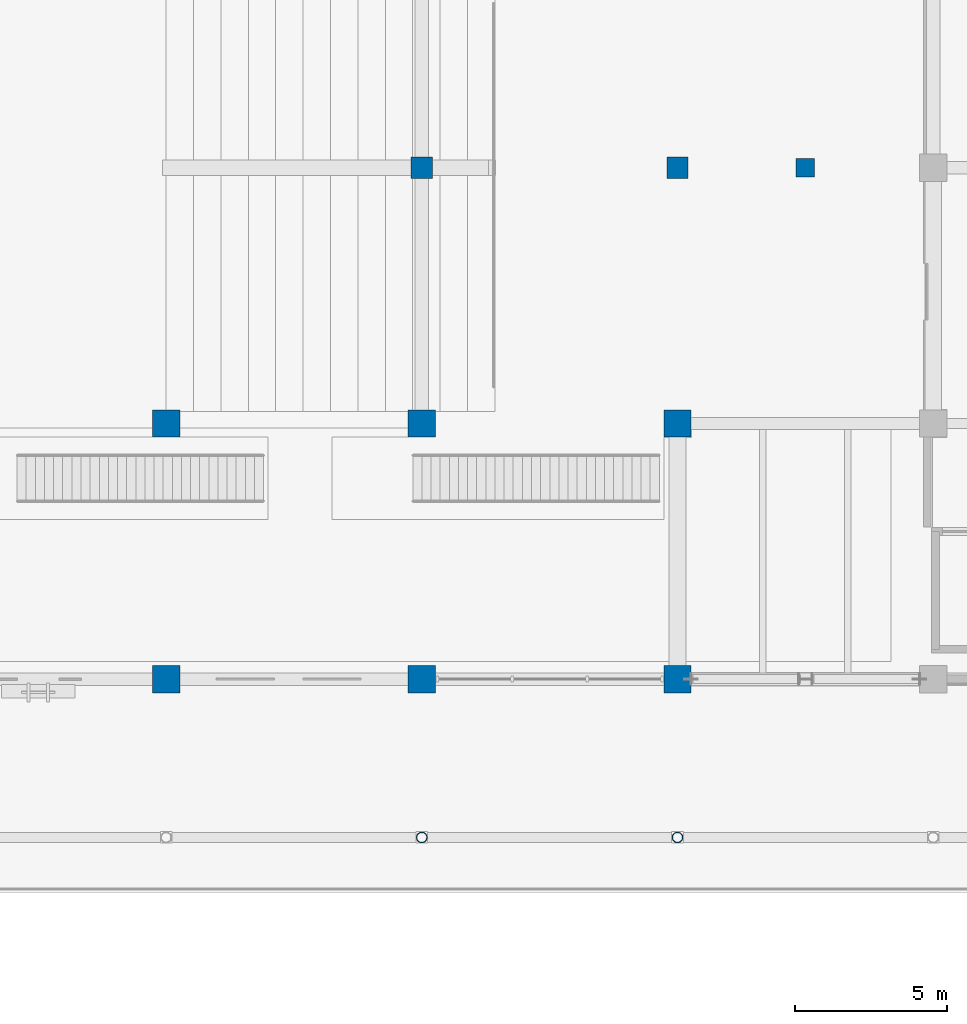
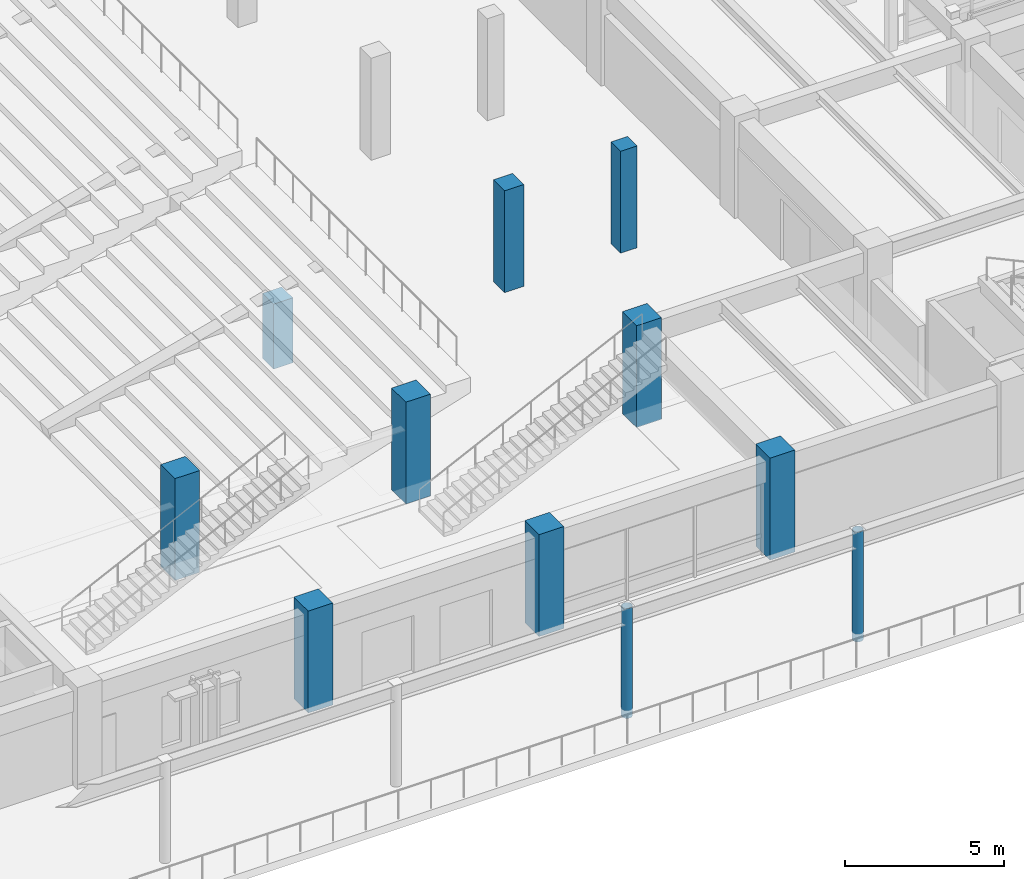
# One storey, part 2 of 135: 11 columns.
"""IFC4 building model written with IfcOpenShell, lengths in metres."""

from ifc_helpers import new_model, si_unit, direction, frame, origin, origin_2d, place, context, subcontext, project, spatial, rectangle, hollow_circle, extrude, material, material_profile, profile_set, type_object, element, save


model = new_model("IFC4")

# Units and contexts
model_context = context("Model", 3, precision=1e-05, world=origin(), true_north=direction((0.0, 1.0)))
body_context = subcontext(model_context, "Body", "Model", "MODEL_VIEW")
ifc_project = project(units=[si_unit("LENGTHUNIT", "METRE"), si_unit("AREAUNIT", "SQUARE_METRE"), si_unit("VOLUMEUNIT", "CUBIC_METRE"), si_unit("PLANEANGLEUNIT", "RADIAN"), si_unit("MASSUNIT", "GRAM", prefix="KILO")], contexts=[model_context])

# Site, building, storey
site_placement = place(None, origin())
site = spatial("IfcSite", under=ifc_project, at=site_placement, CompositionType="ELEMENT")
building_placement = place(site_placement, origin())
building = spatial("IfcBuilding", under=site, at=building_placement, Name="Cumbredor Promenade Congress Hotel", CompositionType="ELEMENT")
storey_placement = place(building_placement, origin())
storey = spatial("IfcBuildingStorey", under=building, at=storey_placement, Name="L00", CompositionType="ELEMENT", Elevation=0.0)

# Columns
ifc_material_1 = material(Name="Concrete C40/50", Category="concrete")
ifc_material_profile_1 = material_profile(ifc_material_1, rectangle(XDim=0.60009765625, YDim=0.60009765625, at=origin_2d()), Name="RC 600x600")
ifc_profile_set_1 = profile_set([ifc_material_profile_1], Name="Concrete C40/50")
column_type_1 = type_object("IfcColumnType", Name="COL-RC-600", PredefinedType="COLUMN", material=ifc_profile_set_1)
column_1_placement = place(storey_placement, frame((54.60009765625, 25.199951171875, 0.0), z_axis=(0.0, 0.0, 1.0), x_axis=(1.0, 0.0, 0.0)))
element("IfcColumn", 1, at=column_1_placement, inside=storey, type_object=column_type_1, Name="L00 Balcony Tier Mid-Raker Column Y25", PredefinedType="COLUMN", context=body_context, shape_type="SweptSolid", body=[
    extrude(rectangle(XDim=0.60009765625, YDim=0.60009765625, at=origin_2d()), origin(), (0.0, 0.0, 1.0), 3.919921875),
])
ifc_material_profile_2 = material_profile(ifc_material_1, rectangle(XDim=0.699951171875, YDim=0.699951171875, at=origin_2d()), Name="RC 700x700")
ifc_profile_set_2 = profile_set([ifc_material_profile_2], Name="Concrete C40/50")
column_type_2 = type_object("IfcColumnType", Name="COL-RC-700", PredefinedType="COLUMN", material=ifc_profile_set_2)
column_2_placement = place(storey_placement, frame((42.0, 25.199951171875, 0.0), z_axis=(0.0, 0.0, 1.0), x_axis=(1.0, 0.0, 0.0)))
element("IfcColumn", 2, at=column_2_placement, inside=storey, type_object=column_type_2, Name="L00 Orchestra Raker Grid Column Y25", PredefinedType="COLUMN", context=body_context, shape_type="SweptSolid", body=[
    extrude(rectangle(XDim=0.699951171875, YDim=0.699951171875, at=origin_2d()), origin(), (0.0, 0.0, 1.0), 2.5),
])
column_3_placement = place(storey_placement, frame((50.39990234375, 25.199951171875, 0.0), z_axis=(0.0, 0.0, 1.0), x_axis=(1.0, 0.0, 0.0)))
element("IfcColumn", 3, at=column_3_placement, inside=storey, type_object=column_type_2, Name="L00 Balcony Bowl Perimeter Column Y25", PredefinedType="COLUMN", context=body_context, shape_type="SweptSolid", body=[
    extrude(rectangle(XDim=0.699951171875, YDim=0.699951171875, at=origin_2d()), origin(), (0.0, 0.0, 1.0), 3.919921875),
])
ifc_material_2 = material(Name="Concrete C50/60", Category="concrete")
ifc_material_profile_3 = material_profile(ifc_material_2, rectangle(XDim=0.89990234375, YDim=0.89990234375, at=origin_2d()), Name="RC 900x900")
ifc_profile_set_3 = profile_set([ifc_material_profile_3], Name="Concrete C50/60")
column_type_3 = type_object("IfcColumnType", Name="COL-RC-900", PredefinedType="COLUMN", material=ifc_profile_set_3)
for number, where, z_axis, x_axis, name in (
    (4, (33.60009765625, 8.39990234375, 0.0), (0.0, 0.0, 1.0), (1.0, 0.0, 0.0), "L00 Structural Column 040"),
    (5, (33.60009765625, 16.800048828125, 0.0), (0.0, 0.0, 1.0), (1.0, 0.0, 0.0), "L00 Structural Column 041"),
    (6, (42.0, 8.39990234375, 0.0), (0.0, 0.0, 1.0), (1.0, 0.0, 0.0), "L00 Structural Column 048"),
    (7, (42.0, 16.800048828125, 0.0), (0.0, 0.0, 1.0), (1.0, 0.0, 0.0), "L00 Structural Column 049"),
    (8, (50.39990234375, 8.39990234375, 0.0), (0.0, 0.0, 1.0), (1.0, 0.0, 0.0), "L00 Structural Column 056"),
    (9, (50.39990234375, 16.800048828125, 0.0), (0.0, 0.0, 1.0), (1.0, 0.0, 0.0), "L00 Structural Column 057"),
):
    element("IfcColumn", number, at=place(storey_placement, frame(where, z_axis=z_axis, x_axis=x_axis)), inside=storey, type_object=column_type_3, Name=name, PredefinedType="COLUMN", context=body_context, shape_type="SweptSolid", body=[
        extrude(rectangle(XDim=0.89990234375, YDim=0.89990234375, at=origin_2d()), origin(), (0.0, 0.0, 1.0), 3.919921875),
    ])
ifc_material_3 = material(Name="Steel ASTM A500 Grade C", Category="steel")
ifc_material_profile_4 = material_profile(ifc_material_3, hollow_circle(Radius=0.177734375, WallThickness=0.01611328125, at=origin_2d()), Name="CHS 355.6x16")
ifc_profile_set_4 = profile_set([ifc_material_profile_4], Name="Steel ASTM A500 Grade C")
column_type_4 = type_object("IfcColumnType", Name="COL-STL-CHS355", PredefinedType="COLUMN", material=ifc_profile_set_4)
for number, where, z_axis, x_axis, name in (
    (10, (42.0, 3.199951171875, -0.300048828125), (0.0, 0.0, 1.0), (1.0, 0.0, 0.0), "Promenade Colonnade Column TC-013"),
    (11, (50.39990234375, 3.199951171875, -0.300048828125), (0.0, 0.0, 1.0), (1.0, 0.0, 0.0), "Promenade Colonnade Column TC-014"),
):
    element("IfcColumn", number, at=place(storey_placement, frame(where, z_axis=z_axis, x_axis=x_axis)), inside=storey, type_object=column_type_4, Name=name, PredefinedType="COLUMN", context=body_context, shape_type="SweptSolid", body=[
        extrude(hollow_circle(Radius=0.177734375, WallThickness=0.01611328125, at=origin_2d()), origin(), (0.0, 0.0, 1.0), 4.219970703125),
    ])

save(model, "model.ifc")
